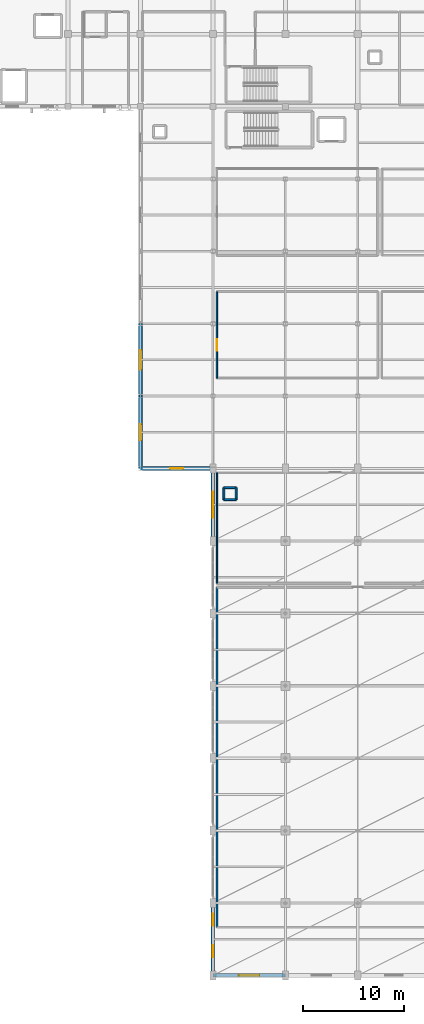
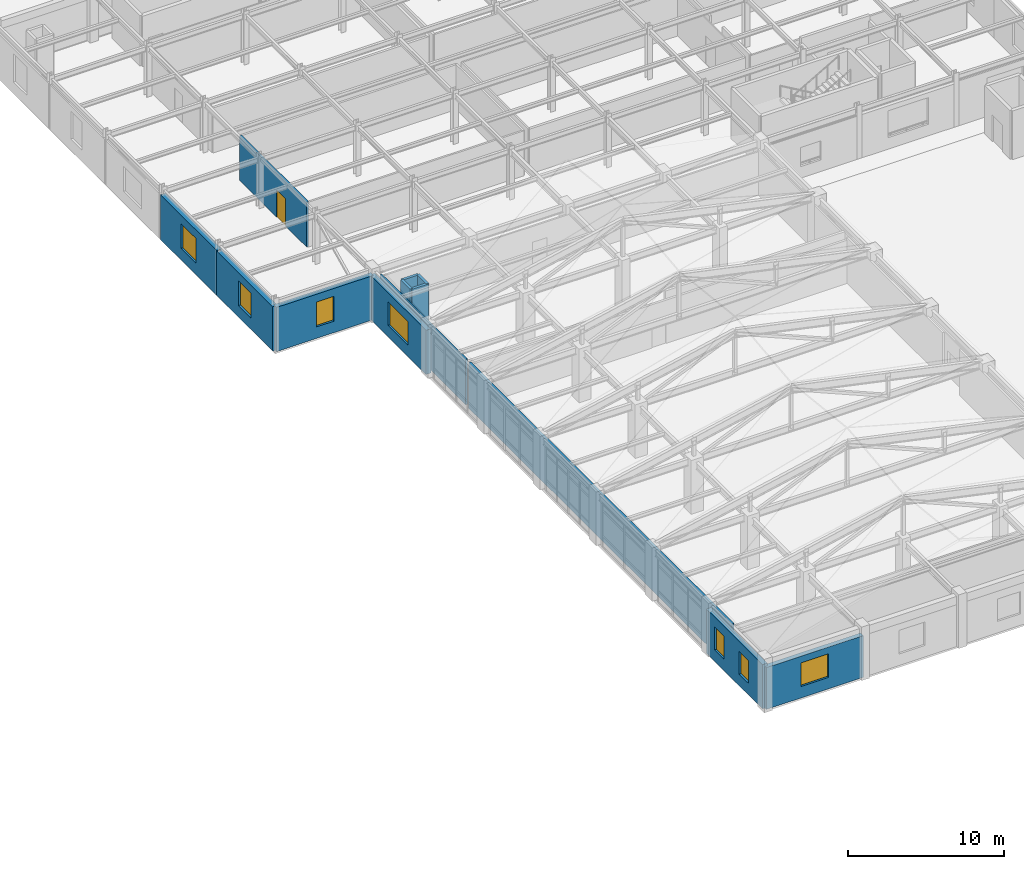
# One storey, part 88 of 113: 13 walls, 7 windows, 1 door, 8 openings.
"""IFC4 building model written with IfcOpenShell, lengths in metres."""

from ifc_helpers import new_model, si_unit, direction, frame, frame_2d, origin, place, context, subcontext, project, spatial, rectangle, extrude, material, layer, layer_set, type_object, element, fill, save


model = new_model("IFC4")

# Units and contexts
model_context = context("Model", 3, precision=1e-05, world=origin(), true_north=direction((0.0, 1.0)))
body_context = subcontext(model_context, "Body", "Model", "MODEL_VIEW")
ifc_project = project(units=[si_unit("LENGTHUNIT", "METRE"), si_unit("AREAUNIT", "SQUARE_METRE"), si_unit("VOLUMEUNIT", "CUBIC_METRE"), si_unit("PLANEANGLEUNIT", "RADIAN"), si_unit("MASSUNIT", "GRAM", prefix="KILO")], contexts=[model_context])

# Site, building, storey
site_placement = place(None, origin())
site = spatial("IfcSite", under=ifc_project, at=site_placement, CompositionType="ELEMENT")
building_placement = place(site_placement, origin())
building = spatial("IfcBuilding", under=site, at=building_placement, Name="Carrowvane Square Congress Hotel", CompositionType="ELEMENT")
storey_placement = place(building_placement, frame((0.0, 0.0, 15.0)))
storey = spatial("IfcBuildingStorey", under=building, at=storey_placement, Name="L03", CompositionType="ELEMENT", Elevation=15.0)

# Wall, opening, window
ifc_material_1 = material(Name="Portland limestone cladding", Category="masonry")
ifc_layer_1 = layer(ifc_material_1, 0.35009765625)
ifc_layer_set_1 = layer_set([ifc_layer_1], Name="Portland limestone cladding")
wall_type_1 = type_object("IfcWallType", Name="WL-EXT-LS350", PredefinedType="STANDARD", material=ifc_layer_set_1)
wall_1_placement = place(storey_placement, frame((141.199951171875, 5.39990234375, 0.0), z_axis=(0.0, 0.0, 1.0), x_axis=(-1.0, 0.0, 0.0)))
wall_1 = element("IfcWall", 1, at=wall_1_placement, inside=storey, type_object=wall_type_1, Name="L03 exterior facade wall 382", PredefinedType="STANDARD", context=body_context, shape_type="SweptSolid", body=[
    extrude(rectangle(XDim=7.199951171875, YDim=0.35009765625, at=frame_2d((3.60009765625, 0.0))), origin(), (0.0, 0.0, 1.0), 3.27490234375),
])
opening_1_placement = place(wall_1_placement, frame((2.574951171875, 0.0, 0.89990234375)))
opening_1 = element("IfcOpeningElement", 2, at=opening_1_placement, cuts=wall_1, Name="Opening W-26", PredefinedType="OPENING", context=body_context, shape_type="SweptSolid", body=[
    extrude(rectangle(XDim=2.050048828125, YDim=1.85009765625, at=frame_2d((1.02490234375, 0.925048828125))), frame((0.0, 0.18505859375, 0.0), z_axis=(0.0, -1.0, 0.0), x_axis=(1.0, 0.0, 0.0)), (0.0, 0.0, 1.0), 0.3701171875),
])
ifc_material_2 = material(Name="Double-glazed low-E glass", Category="glass")
window_type_1 = type_object("IfcWindowType", Name="WIN-26", PartitioningType="SINGLE_PANEL", PredefinedType="WINDOW", material=ifc_material_2)
window_1_placement = place(opening_1_placement, origin())
window_1 = element("IfcWindow", 3, at=window_1_placement, inside=storey, type_object=window_type_1, Name="L03 facade window 203", OverallHeight=1.85009765625, OverallWidth=2.050048828125, PartitioningType="SINGLE_PANEL", PredefinedType="WINDOW", context=body_context, shape_type="SweptSolid", body=[
    extrude(rectangle(XDim=2.050048828125, YDim=1.85009765625, at=frame_2d((1.02490234375, 0.925048828125))), frame((0.0, 0.030029296875, 0.0), z_axis=(0.0, -1.0, 0.0), x_axis=(1.0, 0.0, 0.0)), (0.0, 0.0, 1.0), 0.06005859375),
])
fill(opening_1, window_1)

# Wall, openings, windows
wall_2_placement = place(storey_placement, frame((134.0, 5.39990234375, 0.0), z_axis=(0.0, 0.0, 1.0), x_axis=(0.0, 1.0, 0.0)))
wall_2 = element("IfcWall", 4, at=wall_2_placement, inside=storey, type_object=wall_type_1, Name="L03 exterior facade wall 383", PredefinedType="STANDARD", context=body_context, shape_type="SweptSolid", body=[
    extrude(rectangle(XDim=7.2001953125, YDim=0.35009765625, at=frame_2d((3.60009765625, 0.0))), origin(), (0.0, 0.0, 1.0), 3.465087890625),
])
opening_2_placement = place(wall_2_placement, frame((1.800048828125, 0.0, 0.89990234375)))
opening_2 = element("IfcOpeningElement", 5, at=opening_2_placement, cuts=wall_2, Name="Opening W-01", PredefinedType="OPENING", context=body_context, shape_type="SweptSolid", body=[
    extrude(rectangle(XDim=1.199951171875, YDim=1.800048828125, at=frame_2d((0.60009765625, 0.89990234375))), frame((0.0, 0.18505859375, 0.0), z_axis=(0.0, -1.0, 0.0), x_axis=(1.0, 0.0, 0.0)), (0.0, 0.0, 1.0), 0.3701171875),
])
opening_3_placement = place(wall_2_placement, frame((4.949951171875, 0.0, 0.89990234375)))
opening_3 = element("IfcOpeningElement", 6, at=opening_3_placement, cuts=wall_2, Name="Opening W-01", PredefinedType="OPENING", context=body_context, shape_type="SweptSolid", body=[
    extrude(rectangle(XDim=1.199951171875, YDim=1.800048828125, at=frame_2d((0.60009765625, 0.89990234375))), frame((0.0, 0.18505859375, 0.0), z_axis=(0.0, -1.0, 0.0), x_axis=(1.0, 0.0, 0.0)), (0.0, 0.0, 1.0), 0.3701171875),
])
ifc_material_3 = material(Name="Double-glazed low-E glass", Category="glass")
window_type_2 = type_object("IfcWindowType", Name="WIN-01", PartitioningType="SINGLE_PANEL", PredefinedType="WINDOW", material=ifc_material_3)
window_2_placement = place(opening_2_placement, origin())
window_2 = element("IfcWindow", 7, at=window_2_placement, inside=storey, type_object=window_type_2, Name="L03 facade window 204", OverallHeight=1.800048828125, OverallWidth=1.199951171875, PartitioningType="SINGLE_PANEL", PredefinedType="WINDOW", context=body_context, shape_type="SweptSolid", body=[
    extrude(rectangle(XDim=1.199951171875, YDim=1.800048828125, at=frame_2d((0.60009765625, 0.89990234375))), frame((0.0, 0.030029296875, 0.0), z_axis=(0.0, -1.0, 0.0), x_axis=(1.0, 0.0, 0.0)), (0.0, 0.0, 1.0), 0.06005859375),
])
fill(opening_2, window_2)
window_3_placement = place(opening_3_placement, origin())
window_3 = element("IfcWindow", 8, at=window_3_placement, inside=storey, type_object=window_type_2, Name="L03 split-bay facade window WIN-L03-0204-1", OverallHeight=1.800048828125, OverallWidth=1.199951171875, PartitioningType="SINGLE_PANEL", PredefinedType="WINDOW", context=body_context, shape_type="SweptSolid", body=[
    extrude(rectangle(XDim=1.199951171875, YDim=1.800048828125, at=frame_2d((0.60009765625, 0.89990234375))), frame((0.0, 0.030029296875, 0.0), z_axis=(0.0, -1.0, 0.0), x_axis=(1.0, 0.0, 0.0)), (0.0, 0.0, 1.0), 0.06005859375),
])
fill(opening_3, window_3)

# Wall, opening, window
wall_3_placement = place(storey_placement, frame((134.0, 48.60009765625, 0.0), z_axis=(0.0, 0.0, 1.0), x_axis=(0.0, 1.0, 0.0)))
wall_3 = element("IfcWall", 9, at=wall_3_placement, inside=storey, type_object=wall_type_1, Name="L03 exterior facade wall 384", PredefinedType="STANDARD", context=body_context, shape_type="SweptSolid", body=[
    extrude(rectangle(XDim=7.199951171875, YDim=0.35009765625, at=frame_2d((3.60009765625, 0.0))), origin(), (0.0, 0.0, 1.0), 3.465087890625),
])
opening_4_placement = place(wall_3_placement, frame((2.324951171875, 0.0, 0.89990234375)))
opening_4 = element("IfcOpeningElement", 10, at=opening_4_placement, cuts=wall_3, Name="Opening W-28", PredefinedType="OPENING", context=body_context, shape_type="SweptSolid", body=[
    extrude(rectangle(XDim=2.550048828125, YDim=1.85009765625, at=frame_2d((1.27490234375, 0.925048828125))), frame((0.0, 0.18505859375, 0.0), z_axis=(0.0, -1.0, 0.0), x_axis=(1.0, 0.0, 0.0)), (0.0, 0.0, 1.0), 0.3701171875),
])
ifc_material_4 = material(Name="Double-glazed low-E glass", Category="glass")
window_type_3 = type_object("IfcWindowType", Name="WIN-28", PartitioningType="SINGLE_PANEL", PredefinedType="WINDOW", material=ifc_material_4)
window_4_placement = place(opening_4_placement, origin())
window_4 = element("IfcWindow", 11, at=window_4_placement, inside=storey, type_object=window_type_3, Name="L03 facade window 205", OverallHeight=1.85009765625, OverallWidth=2.550048828125, PartitioningType="SINGLE_PANEL", PredefinedType="WINDOW", context=body_context, shape_type="SweptSolid", body=[
    extrude(rectangle(XDim=2.550048828125, YDim=1.85009765625, at=frame_2d((1.27490234375, 0.925048828125))), frame((0.0, 0.030029296875, 0.0), z_axis=(0.0, -1.0, 0.0), x_axis=(1.0, 0.0, 0.0)), (0.0, 0.0, 1.0), 0.06005859375),
])
fill(opening_4, window_4)

ifc_material_5 = material(Name="Glazed terracotta rainscreen", Category="masonry")
ifc_layer_2 = layer(ifc_material_5, 0.360107421875)
ifc_layer_set_2 = layer_set([ifc_layer_2], Name="Glazed terracotta rainscreen")
wall_type_2 = type_object("IfcWallType", Name="WL-EXT-TC360", PredefinedType="STANDARD", material=ifc_layer_set_2)
wall_4_placement = place(storey_placement, frame((134.0, 55.800048828125, 0.0), z_axis=(0.0, 0.0, 1.0), x_axis=(-1.0, 0.0, 0.0)))
wall_4 = element("IfcWall", 12, at=wall_4_placement, inside=storey, type_object=wall_type_2, Name="L03 exterior facade wall 385", PredefinedType="STANDARD", context=body_context, shape_type="SweptSolid", body=[
    extrude(rectangle(XDim=7.199951171875, YDim=0.360107421875, at=frame_2d((3.60009765625, 0.0))), origin(), (0.0, 0.0, 1.0), 3.465087890625),
])
opening_5_placement = place(wall_4_placement, frame((2.949951171875, 0.0, 0.89990234375)))
opening_5 = element("IfcOpeningElement", 13, at=opening_5_placement, cuts=wall_4, Name="Opening W-29", PredefinedType="OPENING", context=body_context, shape_type="SweptSolid", body=[
    extrude(rectangle(XDim=1.300048828125, YDim=1.949951171875, at=frame_2d((0.64990234375, 0.97509765625))), frame((0.0, 0.18994140625, 0.0), z_axis=(0.0, -1.0, 0.0), x_axis=(1.0, 0.0, 0.0)), (0.0, 0.0, 1.0), 0.380126953125),
])
ifc_material_6 = material(Name="Double-glazed low-E glass", Category="glass")
window_type_4 = type_object("IfcWindowType", Name="WIN-29", PartitioningType="SINGLE_PANEL", PredefinedType="WINDOW", material=ifc_material_6)
window_5_placement = place(opening_5_placement, origin())
window_5 = element("IfcWindow", 14, at=window_5_placement, inside=storey, type_object=window_type_4, Name="L03 facade window 206", OverallHeight=1.949951171875, OverallWidth=1.300048828125, PartitioningType="SINGLE_PANEL", PredefinedType="WINDOW", context=body_context, shape_type="SweptSolid", body=[
    extrude(rectangle(XDim=1.300048828125, YDim=1.949951171875, at=frame_2d((0.64990234375, 0.97509765625))), frame((0.0, 0.030029296875, 0.0), z_axis=(0.0, -1.0, 0.0), x_axis=(1.0, 0.0, 0.0)), (0.0, 0.0, 1.0), 0.06005859375),
])
fill(opening_5, window_5)

wall_5_placement = place(storey_placement, frame((126.800048828125, 55.800048828125, 0.0), z_axis=(0.0, 0.0, 1.0), x_axis=(0.0, 1.0, 0.0)))
wall_5 = element("IfcWall", 15, at=wall_5_placement, inside=storey, type_object=wall_type_2, Name="L03 exterior facade wall 386", PredefinedType="STANDARD", context=body_context, shape_type="SweptSolid", body=[
    extrude(rectangle(XDim=7.199951171875, YDim=0.360107421875, at=frame_2d((3.60009765625, 0.0))), origin(), (0.0, 0.0, 1.0), 3.465087890625),
])
opening_6_placement = place(wall_5_placement, frame((2.800048828125, 0.0, 0.89990234375)))
opening_6 = element("IfcOpeningElement", 16, at=opening_6_placement, cuts=wall_5, Name="Opening W-30", PredefinedType="OPENING", context=body_context, shape_type="SweptSolid", body=[
    extrude(rectangle(XDim=1.60009765625, YDim=1.949951171875, at=frame_2d((0.800048828125, 0.97509765625))), frame((0.0, 0.18994140625, 0.0), z_axis=(0.0, -1.0, 0.0), x_axis=(1.0, 0.0, 0.0)), (0.0, 0.0, 1.0), 0.380126953125),
])
ifc_material_7 = material(Name="Double-glazed low-E glass", Category="glass")
window_type_5 = type_object("IfcWindowType", Name="WIN-30", PartitioningType="SINGLE_PANEL", PredefinedType="WINDOW", material=ifc_material_7)
window_6_placement = place(opening_6_placement, origin())
window_6 = element("IfcWindow", 17, at=window_6_placement, inside=storey, type_object=window_type_5, Name="L03 facade window 207", OverallHeight=1.949951171875, OverallWidth=1.60009765625, PartitioningType="SINGLE_PANEL", PredefinedType="WINDOW", context=body_context, shape_type="SweptSolid", body=[
    extrude(rectangle(XDim=1.60009765625, YDim=1.949951171875, at=frame_2d((0.800048828125, 0.97509765625))), frame((0.0, 0.030029296875, 0.0), z_axis=(0.0, -1.0, 0.0), x_axis=(1.0, 0.0, 0.0)), (0.0, 0.0, 1.0), 0.06005859375),
])
fill(opening_6, window_6)

wall_6_placement = place(storey_placement, frame((126.800048828125, 63.0, 0.0), z_axis=(0.0, 0.0, 1.0), x_axis=(0.0, 1.0, 0.0)))
wall_6 = element("IfcWall", 18, at=wall_6_placement, inside=storey, type_object=wall_type_2, Name="L03 exterior facade wall 387", PredefinedType="STANDARD", context=body_context, shape_type="SweptSolid", body=[
    extrude(rectangle(XDim=7.199951171875, YDim=0.360107421875, at=frame_2d((3.60009765625, 0.0))), origin(), (0.0, 0.0, 1.0), 3.515625),
])
opening_7_placement = place(wall_6_placement, frame((2.625, 0.0, 0.89990234375)))
opening_7 = element("IfcOpeningElement", 19, at=opening_7_placement, cuts=wall_6, Name="Opening W-31", PredefinedType="OPENING", context=body_context, shape_type="SweptSolid", body=[
    extrude(rectangle(XDim=1.949951171875, YDim=1.949951171875, at=frame_2d((0.97509765625, 0.97509765625))), frame((0.0, 0.18994140625, 0.0), z_axis=(0.0, -1.0, 0.0), x_axis=(1.0, 0.0, 0.0)), (0.0, 0.0, 1.0), 0.380126953125),
])
ifc_material_8 = material(Name="Double-glazed low-E glass", Category="glass")
window_type_6 = type_object("IfcWindowType", Name="WIN-31", PartitioningType="SINGLE_PANEL", PredefinedType="WINDOW", material=ifc_material_8)
window_7_placement = place(opening_7_placement, origin())
window_7 = element("IfcWindow", 20, at=window_7_placement, inside=storey, type_object=window_type_6, Name="L03 facade window 208", OverallHeight=1.949951171875, OverallWidth=1.949951171875, PartitioningType="SINGLE_PANEL", PredefinedType="WINDOW", context=body_context, shape_type="SweptSolid", body=[
    extrude(rectangle(XDim=1.949951171875, YDim=1.949951171875, at=frame_2d((0.97509765625, 0.97509765625))), frame((0.0, 0.030029296875, 0.0), z_axis=(0.0, -1.0, 0.0), x_axis=(1.0, 0.0, 0.0)), (0.0, 0.0, 1.0), 0.06005859375),
])
fill(opening_7, window_7)

# Wall, opening, door
ifc_material_9 = material(Name="Acoustic gypsum board", Category="gypsum")
ifc_layer_3 = layer(ifc_material_9, 0.155029296875)
ifc_layer_set_3 = layer_set([ifc_layer_3], Name="Acoustic gypsum board")
wall_type_3 = type_object("IfcWallType", Name="WL-FIR-155", PredefinedType="PARTITIONING", material=ifc_layer_set_3)
wall_7_placement = place(storey_placement, frame((134.39990234375, 64.800048828125, 0.0), z_axis=(0.0, 0.0, 1.0), x_axis=(0.0, 1.0, 0.0)))
wall_7 = element("IfcWall", 21, at=wall_7_placement, inside=storey, type_object=wall_type_3, Name="L03 Executive Conference Suite 301 partition", PredefinedType="PARTITIONING", context=body_context, shape_type="SweptSolid", body=[
    extrude(rectangle(XDim=8.599853515625, YDim=0.155029296875, at=frame_2d((4.2998046875, 0.0))), origin(), (0.0, 0.0, 1.0), 3.515625),
])
opening_8_placement = place(wall_7_placement, frame((2.72509765625, 0.0, 0.0)))
opening_8 = element("IfcOpeningElement", 22, at=opening_8_placement, cuts=wall_7, Name="Opening ID-09", PredefinedType="OPENING", context=body_context, shape_type="SweptSolid", body=[
    extrude(rectangle(XDim=1.14990234375, YDim=2.14990234375, at=frame_2d((0.574951171875, 1.074951171875))), frame((0.0, 0.08740234375, 0.0), z_axis=(0.0, -1.0, 0.0), x_axis=(1.0, 0.0, 0.0)), (0.0, 0.0, 1.0), 0.175048828125),
])
ifc_material_10 = material(Name="European oak timber", Category="wood")
door_type = type_object("IfcDoorType", Name="DR-INT-1150x2150", OperationType="NOTDEFINED", PredefinedType="DOOR", material=ifc_material_10)
door_placement = place(opening_8_placement, origin())
door = element("IfcDoor", 23, at=door_placement, inside=storey, type_object=door_type, Name="L03 Executive Conference Suite 301 entrance door", OperationType="SINGLE_SWING_LEFT", OverallHeight=2.14990234375, OverallWidth=1.14990234375, PredefinedType="DOOR", context=body_context, shape_type="SweptSolid", body=[
    extrude(rectangle(XDim=1.14990234375, YDim=2.14990234375, at=frame_2d((0.574951171875, 1.074951171875))), frame((0.0, 0.02490234375, 0.0), z_axis=(0.0, -1.0, 0.0), x_axis=(1.0, 0.0, 0.0)), (0.0, 0.0, 1.0), 0.050048828125),
])
fill(opening_8, door)

# Walls
ifc_material_11 = material(Name="Acoustic gypsum board", Category="gypsum")
ifc_layer_4 = layer(ifc_material_11, 0.169921875)
ifc_layer_set_4 = layer_set([ifc_layer_4], Name="Acoustic gypsum board")
wall_type_4 = type_object("IfcWallType", Name="WL-FIR-170", PredefinedType="PARTITIONING", material=ifc_layer_set_4)
wall_8_placement = place(storey_placement, frame((134.39990234375, 10.199951171875, 0.0), z_axis=(0.0, 0.0, 1.0), x_axis=(0.0, 1.0, 0.0)))
element("IfcWall", 24, at=wall_8_placement, inside=storey, type_object=wall_type_4, Name="L03 Garden Banquet Pavilion Hall partition", PredefinedType="PARTITIONING", context=body_context, shape_type="SweptSolid", body=[
    extrude(rectangle(XDim=33.800048828125, YDim=0.169921875, at=frame_2d((16.89990234375, 0.0))), origin(), (0.0, 0.0, 1.0), 3.566650390625),
])
ifc_material_12 = material(Name="Standing-seam zinc cladding", Category="metal")
ifc_layer_5 = layer(ifc_material_12, 0.195068359375)
ifc_layer_set_5 = layer_set([ifc_layer_5], Name="Standing-seam zinc cladding")
wall_type_5 = type_object("IfcWallType", Name="WL-PAR-195", PredefinedType="PARAPET", material=ifc_layer_set_5)
for number, where, z_axis, x_axis, name in (
    (25, (135.10009765625, 52.699951171875, 0.0), (0.0, 0.0, 1.0), (1.0, 0.0, 0.0), "L03 service riser RSR-V2 enclosure S"),
    (26, (136.300048828125, 52.699951171875, 0.0), (0.0, 0.0, 1.0), (0.0, 1.0, 0.0), "L03 service riser RSR-V2 enclosure E"),
    (27, (136.300048828125, 53.89990234375, 0.0), (0.0, 0.0, 1.0), (-1.0, 0.0, 0.0), "L03 service riser RSR-V2 enclosure N"),
    (28, (135.10009765625, 53.89990234375, 0.0), (0.0, 0.0, 1.0), (0.0, -1.0, 0.0), "L03 service riser RSR-V2 enclosure W"),
):
    element("IfcWall", number, at=place(storey_placement, frame(where, z_axis=z_axis, x_axis=x_axis)), inside=storey, type_object=wall_type_5, Name=name, PredefinedType="PARAPET", context=body_context, shape_type="SweptSolid", body=[
        extrude(rectangle(XDim=1.199951171875, YDim=0.195068359375, at=frame_2d((0.60009765625, 0.0))), origin(), (0.0, 0.0, 1.0), 3.800048828125),
    ])
ifc_material_13 = material(Name="Acoustic gypsum board", Category="gypsum")
ifc_layer_6 = layer(ifc_material_13, 0.117919921875)
ifc_layer_set_6 = layer_set([ifc_layer_6], Name="Acoustic gypsum board")
wall_type_6 = type_object("IfcWallType", Name="WL-PRT-118", PredefinedType="PARTITIONING", material=ifc_layer_set_6)
wall_9_placement = place(storey_placement, frame((134.39990234375, 44.39990234375, 0.0), z_axis=(0.0, 0.0, 1.0), x_axis=(0.0, 1.0, 0.0)))
element("IfcWall", 29, at=wall_9_placement, inside=storey, type_object=wall_type_6, Name="L03 Pavilion Champagne Bar and Pantry partition", PredefinedType="PARTITIONING", context=body_context, shape_type="SweptSolid", body=[
    extrude(rectangle(XDim=11.0, YDim=0.117919921875, at=frame_2d((5.5, 0.0))), origin(), (0.0, 0.0, 1.0), 3.566650390625),
])

save(model, "model.ifc")
